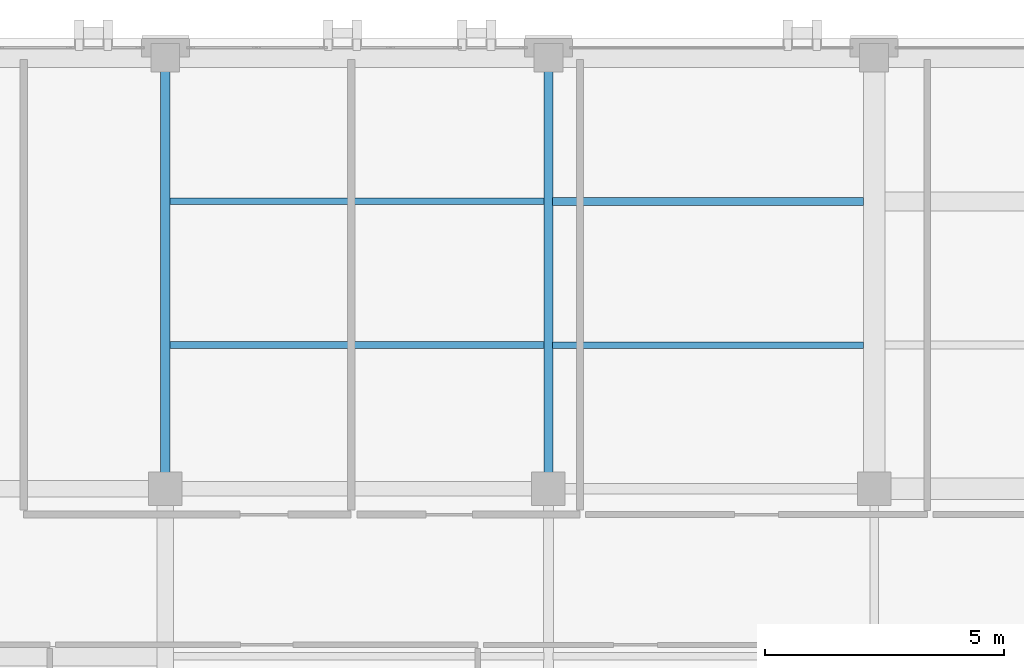
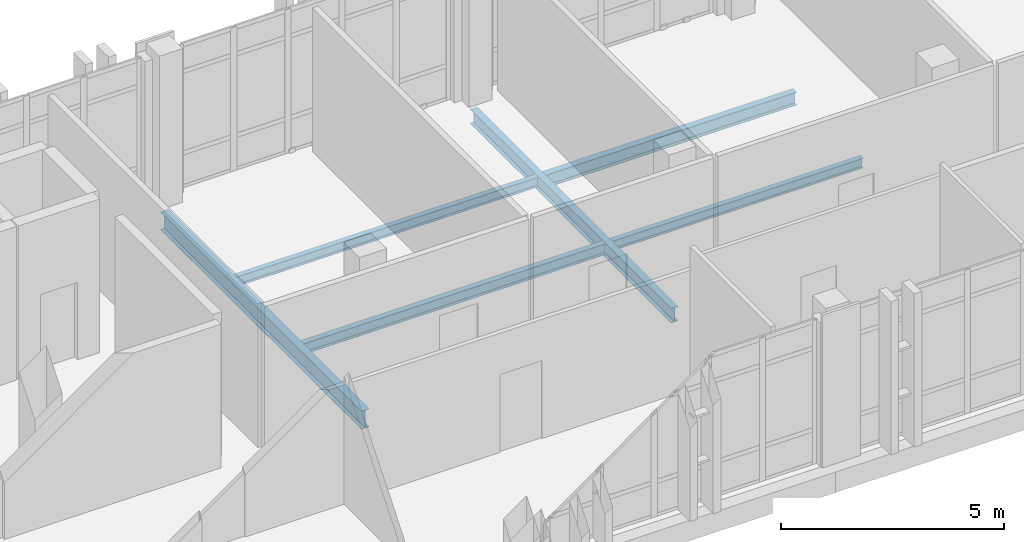
# One storey, part 46 of 90: 6 beams.
"""IFC4 building model written with IfcOpenShell, lengths in metres."""

import ifcopenshell
import ifcopenshell.guid

model = None  # the IFC model being written
_history = None  # IfcOwnerHistory: only IFC2X3 demands one
_inside = {}  # id of a spatial element -> (the spatial element, [elements in it])
_under = {}  # id of a project, library or spatial element -> (it, [spatial elements below it])
_declared = {}  # id of a project -> (the project, [libraries it declares])
_typed = {}  # id of a type object -> (the type object, [elements of that type])
_made_of = {}  # id of a material, layer set ... -> (it, [elements and type objects made of it])


def new_model(schema):
    """Start an empty IFC model of exactly this schema.

    Asked for "IFC4X3", IfcOpenShell would pick the latest addendum, in which some entities
    have other attributes; the version numbers below select the first issue.
    IFC2X3 requires an IfcOwnerHistory on every rooted entity: one is made here for all.
    """
    global model, _history
    if schema == "IFC4X3":
        model = ifcopenshell.file(schema_version=(4, 3, 0, 0))
    else:
        model = ifcopenshell.file(schema=schema)
    _inside.clear()
    _under.clear()
    _declared.clear()
    _typed.clear()
    _made_of.clear()
    _history = None
    if model.schema == "IFC2X3":
        org = make("IfcOrganization", Name="unknown")
        user = make(
            "IfcPersonAndOrganization",
            ThePerson=make("IfcPerson", FamilyName="unknown"),
            TheOrganization=org,
        )
        app = make(
            "IfcApplication",
            ApplicationDeveloper=org,
            Version="unknown",
            ApplicationFullName="unknown",
            ApplicationIdentifier="unknown",
        )
        _history = make(
            "IfcOwnerHistory",
            OwningUser=user,
            OwningApplication=app,
            ChangeAction="ADDED",
            CreationDate=0,
        )
    return model


def make(cls, **values):
    """One entity of the class cls with the attributes given. An attribute that is None is left unset."""
    return model.create_entity(
        cls, **{name: value for name, value in values.items() if value is not None}
    )


def rooted(cls, **values):
    """An entity with a GlobalId (a new one), such as an element, a storey or a relation."""
    return make(cls, GlobalId=ifcopenshell.guid.new(), OwnerHistory=_history, **values)


def si_unit(unit_type, name, prefix=None):
    """IfcSIUnit, for example si_unit("LENGTHUNIT", "METRE", prefix="MILLI")."""
    return make("IfcSIUnit", UnitType=unit_type, Prefix=prefix, Name=name)


def assignment(units):
    """IfcUnitAssignment: the units of a project."""
    return None if units is None else make("IfcUnitAssignment", Units=units)


def point(xyz):
    """IfcCartesianPoint."""
    return None if xyz is None else make("IfcCartesianPoint", Coordinates=xyz)


def direction(xyz):
    """IfcDirection."""
    return None if xyz is None else make("IfcDirection", DirectionRatios=xyz)


def frame(location, z_axis=None, x_axis=None):
    """IfcAxis2Placement3D, a coordinate frame: its origin and axes. An axis left out is left unset."""
    return make(
        "IfcAxis2Placement3D",
        Location=point(location),
        Axis=direction(z_axis),
        RefDirection=direction(x_axis),
    )


def frame_2d(location, x_axis=None):
    """IfcAxis2Placement2D, a coordinate frame in the plane: its origin and x axis."""
    return make(
        "IfcAxis2Placement2D", Location=point(location), RefDirection=direction(x_axis)
    )


def origin():
    """The frame at (0, 0, 0) with its axes left unset."""
    return frame((0.0, 0.0, 0.0))


def origin_2d():
    """The frame at (0, 0) in the plane with its x axis left unset."""
    return frame_2d((0.0, 0.0))


def place(relative_to, where):
    """IfcLocalPlacement: puts the frame where relative to a parent placement (None: the world)."""
    return make(
        "IfcLocalPlacement", PlacementRelTo=relative_to, RelativePlacement=where
    )


def context(
    kind, dimensions, precision=None, world=None, true_north=None, identifier=None
):
    """IfcGeometricRepresentationContext, for example the 3D "Model" context."""
    return make(
        "IfcGeometricRepresentationContext",
        ContextIdentifier=identifier,
        ContextType=kind,
        CoordinateSpaceDimension=dimensions,
        Precision=precision,
        WorldCoordinateSystem=world,
        TrueNorth=true_north,
    )


def subcontext(parent, identifier, kind, view, scale=None):
    """IfcGeometricRepresentationSubContext, for example "Body" below "Model"."""
    return make(
        "IfcGeometricRepresentationSubContext",
        ContextIdentifier=identifier,
        ContextType=kind,
        ParentContext=parent,
        TargetScale=scale,
        TargetView=view,
    )


def project(units=None, contexts=None):
    """IfcProject with its units and contexts."""
    return rooted(
        "IfcProject",
        Name="project",
        RepresentationContexts=contexts,
        UnitsInContext=assignment(units),
    )


def spatial(cls, under=None, at=None, **own):
    """A site, building, storey or space (cls), placed at a placement, below another one or the project."""
    s = rooted(cls, ObjectPlacement=at, **own)
    if under is not None:
        _under.setdefault(under.id(), (under, []))[1].append(s)
    return s


def profile(cls, at=None, kind="AREA", **sizes):
    """A parametric profile (cls). Its sizes go by their IFC names, for example OverallWidth=200.0."""
    return make(cls, ProfileType=kind, Position=at, **sizes)


def i_section(**sizes):
    """IfcIShapeProfileDef."""
    return profile("IfcIShapeProfileDef", **sizes)


def extrude(swept, where, along, depth):
    """IfcExtrudedAreaSolid: the profile swept, set in the frame where, extruded along a direction by depth."""
    return make(
        "IfcExtrudedAreaSolid",
        SweptArea=swept,
        Position=where,
        ExtrudedDirection=direction(along),
        Depth=depth,
    )


def shape(context_of_items, identifier, shape_type, items):
    """IfcShapeRepresentation: the items that make up one representation, for example the "Body"."""
    return make(
        "IfcShapeRepresentation",
        ContextOfItems=context_of_items,
        RepresentationIdentifier=identifier,
        RepresentationType=shape_type,
        Items=items,
    )


def material(Name=None, Category=None):
    """IfcMaterial."""
    return make("IfcMaterial", Name=Name, Category=Category)


def material_profile(
    of_material, cross_section, Name=None, Category=None, Priority=None
):
    """IfcMaterialProfile: a cross section and its material."""
    return make(
        "IfcMaterialProfile",
        Name=Name,
        Material=of_material,
        Profile=cross_section,
        Priority=Priority,
        Category=Category,
    )


def profile_set(profiles, Name=None, composite=None):
    """IfcMaterialProfileSet."""
    return make(
        "IfcMaterialProfileSet",
        Name=Name,
        MaterialProfiles=profiles,
        CompositeProfile=composite,
    )


def made_of(thing, what):
    """Note that an element or type object is made of a material, layer set ...; save() writes the relation."""
    if what is not None:
        _made_of.setdefault(what.id(), (what, []))[1].append(thing)
    return thing


def type_object(cls, material=None, **own):
    """A type object (cls), such as IfcWallType, which elements share."""
    return made_of(rooted(cls, **own), material)


def element(
    cls,
    number,
    at=None,
    inside=None,
    cuts=None,
    type_object=None,
    material=None,
    context=None,
    identifier="Body",
    shape_type=None,
    held_by="IfcProductDefinitionShape",
    body=None,
    shapes=None,
    **own,
):
    """One element of the class cls, such as IfcWall. Its Tag is "e" and its number.

    at: its placement. inside: the storey or other place that contains it. cuts: it is an
    opening in that element (IfcRelVoidsElement). A single representation is given by context,
    identifier, shape_type and body (its items); several are given by shapes. held_by: the class
    of the entity that holds the representations. save() writes the other relations.
    """
    e = rooted(cls, Tag="e%d" % number, ObjectPlacement=at, **own)
    if body is not None:
        shapes = [shape(context, identifier, shape_type, body)]
    if shapes is not None:
        e.Representation = make(held_by, Representations=shapes)
    if inside is not None:
        _inside.setdefault(inside.id(), (inside, []))[1].append(e)
    if cuts is not None:
        rooted(
            "IfcRelVoidsElement", RelatingBuildingElement=cuts, RelatedOpeningElement=e
        )
    if type_object is not None:
        _typed.setdefault(type_object.id(), (type_object, []))[1].append(e)
    return made_of(e, material)


def aggregate(whole, parts):
    """IfcRelAggregates: a whole, such as a stair, and the parts it consists of."""
    return rooted("IfcRelAggregates", RelatingObject=whole, RelatedObjects=parts)


def save(model, path):
    """Write the relations noted so far, then the file.

    IfcRelAggregates (storeys below a building ...), IfcRelContainedInSpatialStructure (elements
    in a storey), IfcRelDefinesByType, IfcRelAssociatesMaterial and IfcRelDeclares: one each for
    every whole, place, type object, material and project.
    """
    for whole, parts in _under.values():
        aggregate(whole, parts)
    for where, things in _inside.values():
        rooted(
            "IfcRelContainedInSpatialStructure",
            RelatedElements=things,
            RelatingStructure=where,
        )
    for kind, things in _typed.values():
        rooted("IfcRelDefinesByType", RelatedObjects=things, RelatingType=kind)
    for what, things in _made_of.values():
        rooted("IfcRelAssociatesMaterial", RelatedObjects=things, RelatingMaterial=what)
    for by, libraries in _declared.values():
        rooted("IfcRelDeclares", RelatingContext=by, RelatedDefinitions=libraries)
    model.write(path)


model = new_model("IFC4")

# Units and contexts
model_context = context("Model", 3, precision=1e-05, world=origin(), true_north=direction((0.0, 1.0)))
body_context = subcontext(model_context, "Body", "Model", "MODEL_VIEW")
ifc_project = project(units=[si_unit("LENGTHUNIT", "METRE"), si_unit("AREAUNIT", "SQUARE_METRE"), si_unit("VOLUMEUNIT", "CUBIC_METRE"), si_unit("PLANEANGLEUNIT", "RADIAN"), si_unit("MASSUNIT", "GRAM", prefix="KILO")], contexts=[model_context])

# Site, building, storey
site_placement = place(None, origin())
site = spatial("IfcSite", under=ifc_project, at=site_placement, CompositionType="ELEMENT")
building_placement = place(site_placement, origin())
building = spatial("IfcBuilding", under=site, at=building_placement, Name="Qalavern Law Courts", CompositionType="ELEMENT")
storey_placement = place(building_placement, frame((0.0, 0.0, 22.800048828125)))
storey = spatial("IfcBuildingStorey", under=building, at=storey_placement, Name="L05", CompositionType="ELEMENT", Elevation=22.800048828125)

# Beams
ifc_material = material(Name="Steel S355", Category="steel")
ifc_material_profile_1 = material_profile(ifc_material, i_section(OverallWidth=0.179931640625, OverallDepth=0.39990234375, WebThickness=0.008544921875, FlangeThickness=0.013427734375, FilletRadius=0.02099609375, at=origin_2d()), Name="IPE 400")
ifc_profile_set_1 = profile_set([ifc_material_profile_1], Name="Steel S355")
beam_type_1 = type_object("IfcBeamType", Name="STR-BM-IPE400", PredefinedType="BEAM", material=ifc_profile_set_1)
beam_1_placement = place(storey_placement, frame((44.800048828125, 103.60009765625, -0.49609375), z_axis=(0.0, 1.0, 0.0), x_axis=(-1.0, 0.0, 0.0)))
element("IfcBeam", 1, at=beam_1_placement, inside=storey, type_object=beam_type_1, Name="V5 Y-beam 3-2 L05", PredefinedType="BEAM", context=body_context, shape_type="SweptSolid", body=[
    extrude(i_section(OverallWidth=0.179931640625, OverallDepth=0.39990234375, WebThickness=0.008544921875, FlangeThickness=0.013427734375, FilletRadius=0.02099609375, at=origin_2d()), origin(), (0.0, 0.0, 1.0), 9.0),
])
ifc_material_profile_2 = material_profile(ifc_material, i_section(OverallWidth=0.199951171875, OverallDepth=0.5, WebThickness=0.01025390625, FlangeThickness=0.01611328125, FilletRadius=0.02099609375, at=origin_2d()), Name="IPE 500")
ifc_profile_set_2 = profile_set([ifc_material_profile_2], Name="Steel S355")
beam_type_2 = type_object("IfcBeamType", Name="STR-BM-IPE500", PredefinedType="BEAM", material=ifc_profile_set_2)
beam_2_placement = place(storey_placement, frame((36.800048828125, 103.60009765625, -0.546142578125), z_axis=(0.0, 1.0, 0.0), x_axis=(-1.0, 0.0, 0.0)))
element("IfcBeam", 2, at=beam_2_placement, inside=storey, type_object=beam_type_2, Name="V5 Y-beam 2-2 L05", PredefinedType="BEAM", context=body_context, shape_type="SweptSolid", body=[
    extrude(i_section(OverallWidth=0.199951171875, OverallDepth=0.5, WebThickness=0.01025390625, FlangeThickness=0.01611328125, FilletRadius=0.02099609375, at=origin_2d()), origin(), (0.0, 0.0, 1.0), 9.0),
])
ifc_material_profile_3 = material_profile(ifc_material, i_section(OverallWidth=0.135009765625, OverallDepth=0.27001953125, WebThickness=0.006591796875, FlangeThickness=0.01025390625, FilletRadius=0.014892578125, at=origin_2d()), Name="IPE 270")
ifc_profile_set_3 = profile_set([ifc_material_profile_3], Name="Steel S355")
beam_type_3 = type_object("IfcBeamType", Name="STR-JST-IPE270", PredefinedType="JOIST", material=ifc_profile_set_3)
beam_3_placement = place(storey_placement, frame((36.89794921875, 109.60009765625, -0.43115234375), z_axis=(1.0, 0.0, 0.0), x_axis=(0.0, 1.0, 0.0)))
element("IfcBeam", 3, at=beam_3_placement, inside=storey, type_object=beam_type_3, Name="V5 secondary joist 2.2.2 L05", PredefinedType="JOIST", context=body_context, shape_type="SweptSolid", body=[
    extrude(i_section(OverallWidth=0.135009765625, OverallDepth=0.27001953125, WebThickness=0.006591796875, FlangeThickness=0.01025390625, FilletRadius=0.014892578125, at=origin_2d()), origin(), (0.0, 0.0, 1.0), 7.81396484375),
])
beam_4_placement = place(storey_placement, frame((44.887939453125, 106.60009765625, -0.43115234375), z_axis=(1.0, 0.0, 0.0), x_axis=(0.0, 1.0, 0.0)))
element("IfcBeam", 4, at=beam_4_placement, inside=storey, type_object=beam_type_3, Name="V5 secondary joist 3.2.1 L05", PredefinedType="JOIST", context=body_context, shape_type="SweptSolid", body=[
    extrude(i_section(OverallWidth=0.135009765625, OverallDepth=0.27001953125, WebThickness=0.006591796875, FlangeThickness=0.01025390625, FilletRadius=0.014892578125, at=origin_2d()), origin(), (0.0, 0.0, 1.0), 6.489013671875),
])
ifc_material_profile_4 = material_profile(ifc_material, i_section(OverallWidth=0.14990234375, OverallDepth=0.300048828125, WebThickness=0.007080078125, FlangeThickness=0.0107421875, FilletRadius=0.014892578125, at=origin_2d()), Name="IPE 300")
ifc_profile_set_4 = profile_set([ifc_material_profile_4], Name="Steel S355")
beam_type_4 = type_object("IfcBeamType", Name="STR-JST-IPE300", PredefinedType="JOIST", material=ifc_profile_set_4)
beam_5_placement = place(storey_placement, frame((36.89794921875, 106.60009765625, -0.446044921875), z_axis=(1.0, 0.0, 0.0), x_axis=(0.0, 1.0, 0.0)))
element("IfcBeam", 5, at=beam_5_placement, inside=storey, type_object=beam_type_4, Name="V5 secondary joist 2.2.1 L05", PredefinedType="JOIST", context=body_context, shape_type="SweptSolid", body=[
    extrude(i_section(OverallWidth=0.14990234375, OverallDepth=0.300048828125, WebThickness=0.007080078125, FlangeThickness=0.0107421875, FilletRadius=0.014892578125, at=origin_2d()), origin(), (0.0, 0.0, 1.0), 7.81396484375),
])
ifc_material_profile_5 = material_profile(ifc_material, i_section(OverallWidth=0.169921875, OverallDepth=0.360107421875, WebThickness=0.008056640625, FlangeThickness=0.0126953125, FilletRadius=0.01806640625, at=origin_2d()), Name="IPE 360")
ifc_profile_set_5 = profile_set([ifc_material_profile_5], Name="Steel S355")
beam_type_5 = type_object("IfcBeamType", Name="STR-JST-IPE360", PredefinedType="JOIST", material=ifc_profile_set_5)
beam_6_placement = place(storey_placement, frame((44.887939453125, 109.60009765625, -0.47607421875), z_axis=(1.0, 0.0, 0.0), x_axis=(0.0, 1.0, 0.0)))
element("IfcBeam", 6, at=beam_6_placement, inside=storey, type_object=beam_type_5, Name="V5 secondary joist 3.2.2 L05", PredefinedType="JOIST", context=body_context, shape_type="SweptSolid", body=[
    extrude(i_section(OverallWidth=0.169921875, OverallDepth=0.360107421875, WebThickness=0.008056640625, FlangeThickness=0.0126953125, FilletRadius=0.01806640625, at=origin_2d()), origin(), (0.0, 0.0, 1.0), 6.489013671875),
])

save(model, "model.ifc")
